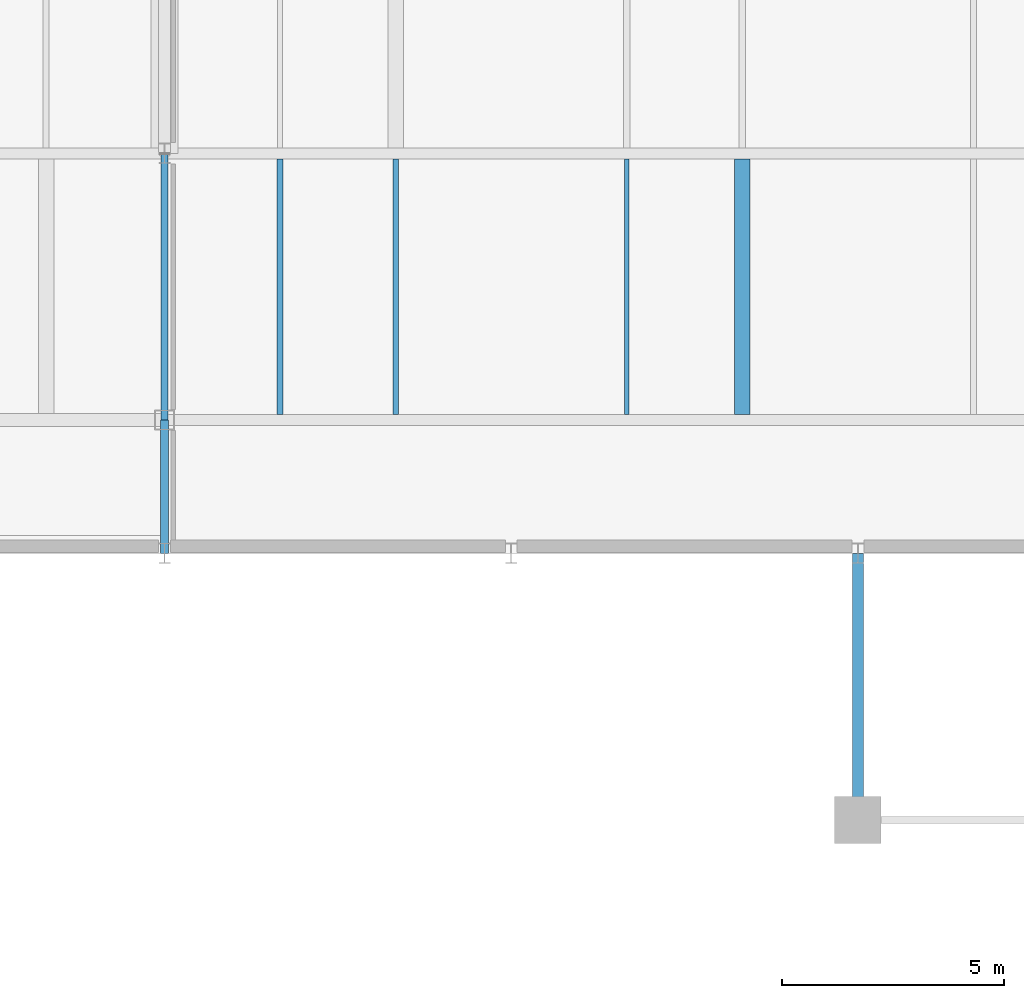
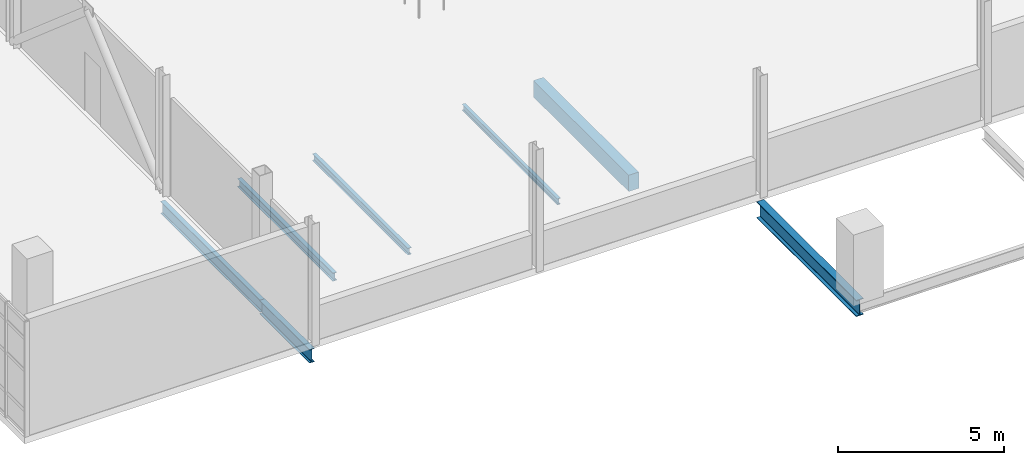
# One storey, part 10 of 38: 7 beams.
"""IFC4 building model written with IfcOpenShell, lengths in metres."""

from ifc_helpers import new_model, si_unit, derived_unit, direction, frame, origin, origin_2d, place, context, subcontext, project, spatial, rectangle, i_section, extrude, material, material_profile, profile_set, type_object, element, save


model = new_model("IFC4")

# Units and contexts
model_context = context("Model", 3, precision=1e-05, world=origin(), true_north=direction((0.0, 1.0)))
body_context = subcontext(model_context, "Body", "Model", "MODEL_VIEW")
ifc_project = project(units=[si_unit("LENGTHUNIT", "METRE"), si_unit("AREAUNIT", "SQUARE_METRE"), si_unit("VOLUMEUNIT", "CUBIC_METRE"), si_unit("PLANEANGLEUNIT", "RADIAN"), si_unit("MASSUNIT", "GRAM", prefix="KILO"), derived_unit("THERMALTRANSMITTANCEUNIT", [(si_unit("POWERUNIT", "WATT"), 1), (si_unit("LENGTHUNIT", "METRE"), -2), (si_unit("THERMODYNAMICTEMPERATUREUNIT", "KELVIN"), -1)])], contexts=[model_context])

# Site, building, storey
site_placement = place(None, origin())
site = spatial("IfcSite", under=ifc_project, at=site_placement, CompositionType="ELEMENT")
building_placement = place(site_placement, origin())
building = spatial("IfcBuilding", under=site, at=building_placement, Name="Nallur Shell Playhouse", CompositionType="ELEMENT")
storey_placement = place(building_placement, frame((0.0, 0.0, 24.300048828125)))
storey = spatial("IfcBuildingStorey", under=building, at=storey_placement, Name="L06", CompositionType="ELEMENT", Elevation=24.300048828125)

# Beams
ifc_material_1 = material(Name="Steel E250", Category="steel")
ifc_material_profile_1 = material_profile(ifc_material_1, i_section(OverallWidth=0.110107421875, OverallDepth=0.22509765625, WebThickness=0.006591796875, FlangeThickness=0.01171875, FilletRadius=0.011962890625, at=origin_2d()), Name="ISMB 225")
ifc_profile_set_1 = profile_set([ifc_material_profile_1], Name="Steel E250")
beam_type_1 = type_object("IfcBeamType", Name="BM-JST-ISMB225", PredefinedType="JOIST", material=ifc_profile_set_1)
beam_1_placement = place(storey_placement, frame((74.39990234375, 50.123046875, -0.362548828125), z_axis=(0.0, 1.0, 0.0), x_axis=(-1.0, 0.0, 0.0)))
element("IfcBeam", 1, at=beam_1_placement, inside=storey, type_object=beam_type_1, Name="L06 secondary joist 9-F-1217", PredefinedType="JOIST", context=body_context, shape_type="SweptSolid", body=[
    extrude(i_section(OverallWidth=0.110107421875, OverallDepth=0.22509765625, WebThickness=0.006591796875, FlangeThickness=0.01171875, FilletRadius=0.011962890625, at=origin_2d()), origin(), (0.0, 0.0, 1.0), 5.75390625),
])
ifc_material_profile_2 = material_profile(ifc_material_1, i_section(OverallWidth=0.125, OverallDepth=0.25, WebThickness=0.0068359375, FlangeThickness=0.012451171875, FilletRadius=0.012939453125, at=origin_2d()), Name="ISMB 250")
ifc_profile_set_2 = profile_set([ifc_material_profile_2], Name="Steel E250")
beam_type_2 = type_object("IfcBeamType", Name="BM-JST-ISMB250", PredefinedType="JOIST", material=ifc_profile_set_2)
beam_2_placement = place(storey_placement, frame((69.199951171875, 50.123046875, -0.375), z_axis=(0.0, 1.0, 0.0), x_axis=(-1.0, 0.0, 0.0)))
element("IfcBeam", 2, at=beam_2_placement, inside=storey, type_object=beam_type_2, Name="L06 secondary joist 8-F-1210", PredefinedType="JOIST", context=body_context, shape_type="SweptSolid", body=[
    extrude(i_section(OverallWidth=0.125, OverallDepth=0.25, WebThickness=0.0068359375, FlangeThickness=0.012451171875, FilletRadius=0.012939453125, at=origin_2d()), origin(), (0.0, 0.0, 1.0), 5.75390625),
])
ifc_material_profile_3 = material_profile(ifc_material_1, i_section(OverallWidth=0.139892578125, OverallDepth=0.300048828125, WebThickness=0.0078125, FlangeThickness=0.01318359375, FilletRadius=0.013916015625, at=origin_2d()), Name="ISMB 300")
ifc_profile_set_3 = profile_set([ifc_material_profile_3], Name="Steel E250")
beam_type_3 = type_object("IfcBeamType", Name="BM-JST-ISMB300", PredefinedType="JOIST", material=ifc_profile_set_3)
beam_3_placement = place(storey_placement, frame((66.60009765625, 50.123046875, -0.400146484375), z_axis=(0.0, 1.0, 0.0), x_axis=(-1.0, 0.0, 0.0)))
element("IfcBeam", 3, at=beam_3_placement, inside=storey, type_object=beam_type_3, Name="L06 secondary joist 8-F-1209", PredefinedType="JOIST", context=body_context, shape_type="SweptSolid", body=[
    extrude(i_section(OverallWidth=0.139892578125, OverallDepth=0.300048828125, WebThickness=0.0078125, FlangeThickness=0.01318359375, FilletRadius=0.013916015625, at=origin_2d()), origin(), (0.0, 0.0, 1.0), 5.75390625),
])
ifc_material_2 = material(Name="Concrete M30", Category="concrete")
ifc_material_profile_4 = material_profile(ifc_material_2, rectangle(XDim=0.35009765625, YDim=0.60009765625, at=origin_2d()), Name="RC 350x600")
ifc_profile_set_4 = profile_set([ifc_material_profile_4], Name="Concrete M30")
beam_type_4 = type_object("IfcBeamType", Name="BM-RC-350x600", PredefinedType="JOIST", material=ifc_profile_set_4)
beam_4_placement = place(storey_placement, frame((77.0, 50.123046875, -0.550048828125), z_axis=(0.0, 1.0, 0.0), x_axis=(-1.0, 0.0, 0.0)))
element("IfcBeam", 4, at=beam_4_placement, inside=storey, type_object=beam_type_4, Name="L06 secondary joist 9-F-1218", PredefinedType="JOIST", context=body_context, shape_type="SweptSolid", body=[
    extrude(rectangle(XDim=0.35009765625, YDim=0.60009765625, at=origin_2d()), origin(), (0.0, 0.0, 1.0), 5.75390625),
])
ifc_material_3 = material(Name="Steel E350", Category="steel")
ifc_material_profile_5 = material_profile(ifc_material_3, i_section(OverallWidth=0.14990234375, OverallDepth=0.449951171875, WebThickness=0.009521484375, FlangeThickness=0.017333984375, FilletRadius=0.014892578125, at=origin_2d()), Name="ISMB 450")
ifc_profile_set_5 = profile_set([ifc_material_profile_5], Name="Steel E350")
beam_type_5 = type_object("IfcBeamType", Name="BM-ST-ISMB450", PredefinedType="BEAM", material=ifc_profile_set_5)
beam_5_placement = place(storey_placement, frame((64.0, 50.0, -0.47509765625), z_axis=(0.0, 1.0, 0.0), x_axis=(-1.0, 0.0, 0.0)))
element("IfcBeam", 5, at=beam_5_placement, inside=storey, type_object=beam_type_5, Name="L06 girder Y-8-1179", PredefinedType="BEAM", context=body_context, shape_type="SweptSolid", body=[
    extrude(i_section(OverallWidth=0.14990234375, OverallDepth=0.449951171875, WebThickness=0.009521484375, FlangeThickness=0.017333984375, FilletRadius=0.014892578125, at=origin_2d()), origin(), (0.0, 0.0, 1.0), 6.0),
])
ifc_material_profile_6 = material_profile(ifc_material_3, i_section(OverallWidth=0.179931640625, OverallDepth=0.5, WebThickness=0.01025390625, FlangeThickness=0.01708984375, FilletRadius=0.01708984375, at=origin_2d()), Name="ISMB 500")
ifc_profile_set_6 = profile_set([ifc_material_profile_6], Name="Steel E350")
beam_type_6 = type_object("IfcBeamType", Name="BM-ST-ISMB500", PredefinedType="BEAM", material=ifc_profile_set_6)
beam_6_placement = place(storey_placement, frame((64.0, 47.0, -0.5), z_axis=(0.0, 1.0, 0.0), x_axis=(-1.0, 0.0, 0.0)))
element("IfcBeam", 6, at=beam_6_placement, inside=storey, type_object=beam_type_6, Name="L06 girder Y-8-1178", PredefinedType="BEAM", context=body_context, shape_type="SweptSolid", body=[
    extrude(i_section(OverallWidth=0.179931640625, OverallDepth=0.5, WebThickness=0.01025390625, FlangeThickness=0.01708984375, FilletRadius=0.01708984375, at=origin_2d()), origin(), (0.0, 0.0, 1.0), 3.0),
])
ifc_material_profile_7 = material_profile(ifc_material_3, i_section(OverallWidth=0.25, OverallDepth=0.60009765625, WebThickness=0.01171875, FlangeThickness=0.023681640625, FilletRadius=0.01708984375, at=origin_2d()), Name="ISWB 600")
ifc_profile_set_7 = profile_set([ifc_material_profile_7], Name="Steel E350")
beam_type_7 = type_object("IfcBeamType", Name="BM-ST-ISWB600", PredefinedType="BEAM", material=ifc_profile_set_7)
beam_7_placement = place(storey_placement, frame((79.60009765625, 41.0, -0.550048828125), z_axis=(0.0, 1.0, 0.0), x_axis=(-1.0, 0.0, 0.0)))
element("IfcBeam", 7, at=beam_7_placement, inside=storey, type_object=beam_type_7, Name="L06 girder Y-10-1185", PredefinedType="BEAM", context=body_context, shape_type="SweptSolid", body=[
    extrude(i_section(OverallWidth=0.25, OverallDepth=0.60009765625, WebThickness=0.01171875, FlangeThickness=0.023681640625, FilletRadius=0.01708984375, at=origin_2d()), origin(), (0.0, 0.0, 1.0), 6.0),
])

save(model, "model.ifc")
